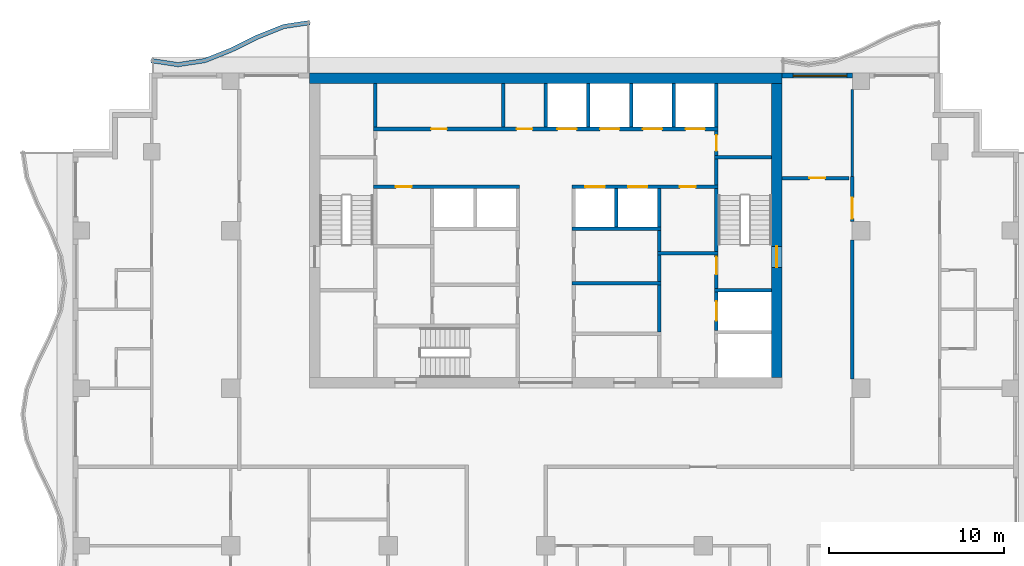
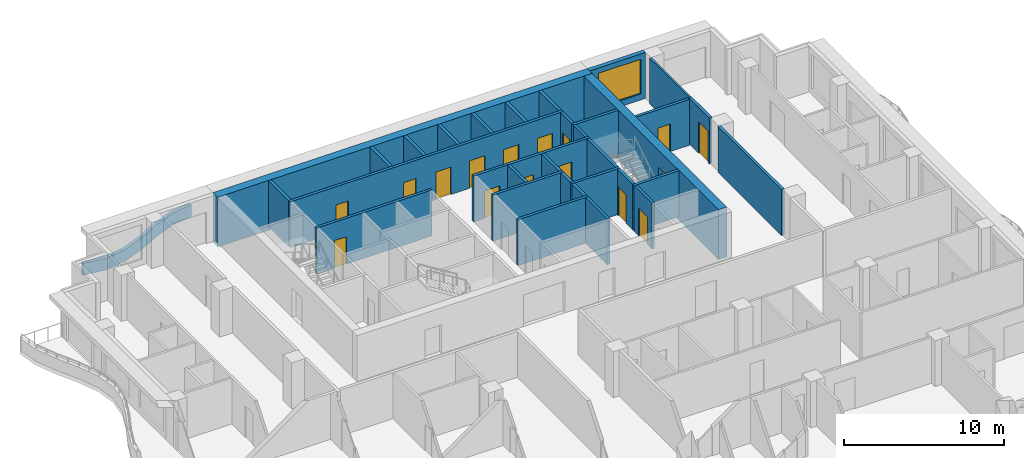
# One storey, part 6 of 11: 33 walls, 16 doors, 1 window, 17 openings.
"""IFC4 building model written with IfcOpenShell, lengths in metres."""

from ifc_helpers import new_model, si_unit, direction, frame, frame_2d, origin, place, context, subcontext, project, spatial, polyline, rectangle, outline, extrude, material, layer, layer_set, type_object, element, fill, save


model = new_model("IFC4")

# Units and contexts
model_context = context("Model", 3, precision=1e-05, world=origin(), true_north=direction((0.0, 1.0)))
body_context = subcontext(model_context, "Body", "Model", "MODEL_VIEW")
ifc_project = project(units=[si_unit("LENGTHUNIT", "METRE"), si_unit("AREAUNIT", "SQUARE_METRE"), si_unit("VOLUMEUNIT", "CUBIC_METRE"), si_unit("PLANEANGLEUNIT", "RADIAN"), si_unit("MASSUNIT", "GRAM", prefix="KILO")], contexts=[model_context])

# Site, building, storey
site_placement = place(None, origin())
site = spatial("IfcSite", under=ifc_project, at=site_placement, CompositionType="ELEMENT")
building_placement = place(site_placement, origin())
building = spatial("IfcBuilding", under=site, at=building_placement, Name="Orbiselva Terraces", CompositionType="ELEMENT")
storey_placement = place(building_placement, frame((0.0, 0.0, 218.6)))
storey = spatial("IfcBuildingStorey", under=building, at=storey_placement, Name="L55", CompositionType="ELEMENT", Elevation=218.6)

# Wall, opening, door
ifc_material_1 = material(Name="Concrete C80/95", Category="concrete")
ifc_layer_1 = layer(ifc_material_1, 0.6)
ifc_layer_set_1 = layer_set([ifc_layer_1], Name="Concrete C80/95")
wall_type_1 = type_object("IfcWallType", Name="CORE WALL 600", PredefinedType="SHEAR", material=ifc_layer_set_1)
wall_1_placement = place(storey_placement, frame((13.2, 5.1, -0.3), z_axis=(0.0, 0.0, 1.0), x_axis=(0.0, 1.0, 0.0)))
wall_1 = element("IfcWall", 1, at=wall_1_placement, inside=storey, type_object=wall_type_1, Name="Core wall L55 east", PredefinedType="SHEAR", context=body_context, shape_type="SweptSolid", body=[
    extrude(rectangle(XDim=16.8, YDim=0.6, at=frame_2d((8.4, 0.0))), origin(), (0.0, 0.0, 1.0), 3.8),
])
opening_1_placement = place(wall_1_placement, frame((6.3, 0.0, 0.3)))
opening_1 = element("IfcOpeningElement", 2, at=opening_1_placement, cuts=wall_1, Name="Opening DS1200", PredefinedType="OPENING", context=body_context, shape_type="SweptSolid", body=[
    extrude(rectangle(XDim=1.2, YDim=2.2, at=frame_2d((0.6, 1.1))), frame((0.0, 0.31, 0.0), z_axis=(0.0, -1.0, 0.0), x_axis=(1.0, 0.0, 0.0)), (0.0, 0.0, 1.0), 0.62),
])
ifc_material_2 = material(Name="Steel fire door", Category="steel")
door_type_1 = type_object("IfcDoorType", Name="STAIR DOOR 1200", OperationType="NOTDEFINED", PredefinedType="DOOR", material=ifc_material_2)
door_1_placement = place(opening_1_placement, frame((1.2, 0.0, 0.0), z_axis=(0.0, 0.0, 1.0), x_axis=(-1.0, 0.0, 0.0)))
door_1 = element("IfcDoor", 3, at=door_1_placement, inside=storey, type_object=door_type_1, Name="L55 EXIT STAIR S2 door", OperationType="SINGLE_SWING_LEFT", OverallHeight=2.2, OverallWidth=1.2, PredefinedType="DOOR", context=body_context, shape_type="SweptSolid", body=[
    extrude(rectangle(XDim=1.2, YDim=2.2, at=frame_2d((0.6, 1.1))), frame((0.0, 0.025, 0.0), z_axis=(0.0, -1.0, 0.0), x_axis=(1.0, 0.0, 0.0)), (0.0, 0.0, 1.0), 0.05),
])
fill(opening_1, door_1)

# Walls
ifc_layer_2 = layer(ifc_material_1, 0.6)
ifc_layer_set_2 = layer_set([ifc_layer_2], Name="Concrete C80/95")
wall_type_2 = type_object("IfcWallType", Name="CORE WALL 600 EXTERNAL", PredefinedType="SHEAR", material=ifc_layer_set_2)
wall_2_placement = place(storey_placement, frame((13.5, 22.2, -0.3), z_axis=(0.0, 0.0, 1.0), x_axis=(-1.0, 0.0, 0.0)))
element("IfcWall", 4, at=wall_2_placement, inside=storey, type_object=wall_type_2, Name="Core wall L55 north", PredefinedType="SHEAR", context=body_context, shape_type="SweptSolid", body=[
    extrude(rectangle(XDim=27.0, YDim=0.6, at=frame_2d((13.5, 0.0))), origin(), (0.0, 0.0, 1.0), 3.8),
])
ifc_material_3 = material(Name="Masonry blockwork", Category="masonry")
ifc_layer_3 = layer(ifc_material_3, 0.2)
ifc_layer_set_3 = layer_set([ifc_layer_3], Name="Masonry blockwork")
wall_type_3 = type_object("IfcWallType", Name="CORE-WALL-PARTITION-200", PredefinedType="PARTITIONING", material=ifc_layer_set_3)
for number, where, z_axis, x_axis, name in (
    (5, (-9.75, 19.4, 0.0), (0.0, 0.0, 1.0), (0.0, 1.0, 0.0), "L55 core wall 13"),
    (6, (-2.4375, 19.4, 0.0), (0.0, 0.0, 1.0), (0.0, 1.0, 0.0), "L55 core wall 21"),
):
    element("IfcWall", number, at=place(storey_placement, frame(where, z_axis=z_axis, x_axis=x_axis)), inside=storey, type_object=wall_type_3, Name=name, PredefinedType="PARTITIONING", context=body_context, shape_type="SweptSolid", body=[
        extrude(rectangle(XDim=2.5, YDim=0.2, at=frame_2d((1.25, 0.0))), origin(), (0.0, 0.0, 1.0), 3.5),
    ])
wall_3_placement = place(storey_placement, frame((6.475, 12.3, 0.0), z_axis=(0.0, 0.0, 1.0), x_axis=(0.0, 1.0, 0.0)))
element("IfcWall", 7, at=wall_3_placement, inside=storey, type_object=wall_type_3, Name="L55 core wall 42", PredefinedType="PARTITIONING", context=body_context, shape_type="SweptSolid", body=[
    extrude(rectangle(XDim=1.2, YDim=0.2, at=frame_2d((0.6, 0.0))), origin(), (0.0, 0.0, 1.0), 3.5),
])

# Wall, opening, door
wall_4_placement = place(storey_placement, frame((9.75, 19.2, 0.0), z_axis=(0.0, 0.0, 1.0), x_axis=(0.0, -1.0, 0.0)))
wall_4 = element("IfcWall", 8, at=wall_4_placement, inside=storey, type_object=wall_type_3, Name="L55 core wall 53", PredefinedType="PARTITIONING", context=body_context, shape_type="SweptSolid", body=[
    extrude(rectangle(XDim=1.4, YDim=0.2, at=frame_2d((0.7, 0.0))), origin(), (0.0, 0.0, 1.0), 3.5),
])
opening_2_placement = place(wall_4_placement, frame((0.25, 0.0, 0.0)))
opening_2 = element("IfcOpeningElement", 9, at=opening_2_placement, cuts=wall_4, Name="Opening DR900", PredefinedType="OPENING", context=body_context, shape_type="SweptSolid", body=[
    extrude(rectangle(XDim=0.9, YDim=2.1, at=frame_2d((0.45, 1.05))), frame((0.0, 0.11, 0.0), z_axis=(0.0, -1.0, 0.0), x_axis=(1.0, 0.0, 0.0)), (0.0, 0.0, 1.0), 0.22),
])
door_type_2 = type_object("IfcDoorType", Name="ROOM DOOR 900", OperationType="NOTDEFINED", PredefinedType="DOOR", material=ifc_material_2)
door_2_placement = place(opening_2_placement, origin())
door_2 = element("IfcDoor", 10, at=door_2_placement, inside=storey, type_object=door_type_2, Name="L55 ELECTRICAL RISER ROOM door", OperationType="SINGLE_SWING_RIGHT", OverallHeight=2.1, OverallWidth=0.9, PredefinedType="DOOR", context=body_context, shape_type="SweptSolid", body=[
    extrude(rectangle(XDim=0.9, YDim=2.1, at=frame_2d((0.45, 1.05))), frame((0.0, 0.025, 0.0), z_axis=(0.0, -1.0, 0.0), x_axis=(1.0, 0.0, 0.0)), (0.0, 0.0, 1.0), 0.05),
])
fill(opening_2, door_2)

# Walls
ifc_material_4 = material(Name="Concrete C40/50", Category="concrete")
ifc_layer_4 = layer(ifc_material_4, 0.2)
ifc_layer_set_4 = layer_set([ifc_layer_4], Name="Concrete C40/50")
wall_type_4 = type_object("IfcWallType", Name="CORE-WALL-SHAFT-200", PredefinedType="PARTITIONING", material=ifc_layer_set_4)
for number, where, z_axis, x_axis, name in (
    (11, (0.0, 19.4, 0.0), (0.0, 0.0, 1.0), (0.0, 1.0, 0.0), "L55 core wall 26"),
    (12, (2.4375, 19.4, 0.0), (0.0, 0.0, 1.0), (0.0, 1.0, 0.0), "L55 core wall 35"),
):
    element("IfcWall", number, at=place(storey_placement, frame(where, z_axis=z_axis, x_axis=x_axis)), inside=storey, type_object=wall_type_4, Name=name, PredefinedType="PARTITIONING", context=body_context, shape_type="SweptSolid", body=[
        extrude(rectangle(XDim=2.5, YDim=0.2, at=frame_2d((1.25, 0.0))), origin(), (0.0, 0.0, 1.0), 3.5),
    ])
wall_5_placement = place(storey_placement, frame((4.0375, 13.7, 0.0), z_axis=(0.0, 0.0, 1.0), x_axis=(0.0, 1.0, 0.0)))
element("IfcWall", 13, at=wall_5_placement, inside=storey, type_object=wall_type_4, Name="L55 core wall 36", PredefinedType="PARTITIONING", context=body_context, shape_type="SweptSolid", body=[
    extrude(rectangle(XDim=2.2, YDim=0.2, at=frame_2d((1.1, 0.0))), origin(), (0.0, 0.0, 1.0), 3.5),
])
wall_6_placement = place(storey_placement, frame((4.875, 19.4, 0.0), z_axis=(0.0, 0.0, 1.0), x_axis=(0.0, 1.0, 0.0)))
element("IfcWall", 14, at=wall_6_placement, inside=storey, type_object=wall_type_4, Name="L55 core wall 37", PredefinedType="PARTITIONING", context=body_context, shape_type="SweptSolid", body=[
    extrude(rectangle(XDim=2.5, YDim=0.2, at=frame_2d((1.25, 0.0))), origin(), (0.0, 0.0, 1.0), 3.5),
])
wall_7_placement = place(storey_placement, frame((6.475, 13.7, 0.0), z_axis=(0.0, 0.0, 1.0), x_axis=(0.0, 1.0, 0.0)))
element("IfcWall", 15, at=wall_7_placement, inside=storey, type_object=wall_type_4, Name="L55 core wall 43", PredefinedType="PARTITIONING", context=body_context, shape_type="SweptSolid", body=[
    extrude(rectangle(XDim=2.2, YDim=0.2, at=frame_2d((1.1, 0.0))), origin(), (0.0, 0.0, 1.0), 3.5),
])
for number, where, z_axis, x_axis, name in (
    (16, (7.3125, 19.4, 0.0), (0.0, 0.0, 1.0), (0.0, 1.0, 0.0), "L55 core wall 44"),
    (17, (9.75, 19.4, 0.0), (0.0, 0.0, 1.0), (0.0, 1.0, 0.0), "L55 core wall 54"),
):
    element("IfcWall", number, at=place(storey_placement, frame(where, z_axis=z_axis, x_axis=x_axis)), inside=storey, type_object=wall_type_4, Name=name, PredefinedType="PARTITIONING", context=body_context, shape_type="SweptSolid", body=[
        extrude(rectangle(XDim=2.5, YDim=0.2, at=frame_2d((1.25, 0.0))), origin(), (0.0, 0.0, 1.0), 3.5),
    ])

# Wall, opening, door
ifc_material_5 = material(Name="Concrete C60/75", Category="concrete")
ifc_layer_5 = layer(ifc_material_5, 0.2)
ifc_layer_set_5 = layer_set([ifc_layer_5], Name="Concrete C60/75")
wall_type_5 = type_object("IfcWallType", Name="CORE-WALL-SHEAR-200", PredefinedType="SHEAR", material=ifc_layer_set_5)
wall_8_placement = place(storey_placement, frame((-1.5, 16.0, 0.0), z_axis=(0.0, 0.0, 1.0), x_axis=(-1.0, 0.0, 0.0)))
wall_8 = element("IfcWall", 18, at=wall_8_placement, inside=storey, type_object=wall_type_5, Name="L55 core wall 09", PredefinedType="SHEAR", context=body_context, shape_type="SweptSolid", body=[
    extrude(rectangle(XDim=8.35, YDim=0.2, at=frame_2d((4.175, 0.0))), origin(), (0.0, 0.0, 1.0), 3.5),
])
opening_3_placement = place(wall_8_placement, frame((6.1625, 0.0, 0.0)))
opening_3 = element("IfcOpeningElement", 19, at=opening_3_placement, cuts=wall_8, Name="Opening DR900", PredefinedType="OPENING", context=body_context, shape_type="SweptSolid", body=[
    extrude(rectangle(XDim=0.9, YDim=2.1, at=frame_2d((0.45, 1.05))), frame((0.0, 0.11, 0.0), z_axis=(0.0, -1.0, 0.0), x_axis=(1.0, 0.0, 0.0)), (0.0, 0.0, 1.0), 0.22),
])
door_3_placement = place(opening_3_placement, origin())
door_3 = element("IfcDoor", 20, at=door_3_placement, inside=storey, type_object=door_type_2, Name="L55 IT ROOM door", OperationType="SINGLE_SWING_RIGHT", OverallHeight=2.1, OverallWidth=0.9, PredefinedType="DOOR", context=body_context, shape_type="SweptSolid", body=[
    extrude(rectangle(XDim=0.9, YDim=2.1, at=frame_2d((0.45, 1.05))), frame((0.0, 0.025, 0.0), z_axis=(0.0, -1.0, 0.0), x_axis=(1.0, 0.0, 0.0)), (0.0, 0.0, 1.0), 0.05),
])
fill(opening_3, door_3)

# Wall, openings, doors
wall_9_placement = place(storey_placement, frame((-9.85, 19.3, 0.0), z_axis=(0.0, 0.0, 1.0), x_axis=(1.0, 0.0, 0.0)))
wall_9 = element("IfcWall", 21, at=wall_9_placement, inside=storey, type_object=wall_type_5, Name="L55 core wall 12", PredefinedType="SHEAR", context=body_context, shape_type="SweptSolid", body=[
    extrude(rectangle(XDim=19.7, YDim=0.2, at=frame_2d((9.85, 0.0))), origin(), (0.0, 0.0, 1.0), 3.5),
])
opening_4_placement = place(wall_9_placement, frame((10.51875, 0.0, 0.0)))
opening_4 = element("IfcOpeningElement", 22, at=opening_4_placement, cuts=wall_9, Name="Opening LD-HR1", PredefinedType="OPENING", context=body_context, shape_type="SweptSolid", body=[
    extrude(rectangle(XDim=1.1, YDim=2.1, at=frame_2d((0.55, 1.05))), frame((0.0, 0.11, 0.0), z_axis=(0.0, -1.0, 0.0), x_axis=(1.0, 0.0, 0.0)), (0.0, 0.0, 1.0), 0.22),
])
opening_5_placement = place(wall_9_placement, frame((12.95625, 0.0, 0.0)))
opening_5 = element("IfcOpeningElement", 23, at=opening_5_placement, cuts=wall_9, Name="Opening LD-HR2", PredefinedType="OPENING", context=body_context, shape_type="SweptSolid", body=[
    extrude(rectangle(XDim=1.1, YDim=2.1, at=frame_2d((0.55, 1.05))), frame((0.0, 0.11, 0.0), z_axis=(0.0, -1.0, 0.0), x_axis=(1.0, 0.0, 0.0)), (0.0, 0.0, 1.0), 0.22),
])
opening_6_placement = place(wall_9_placement, frame((15.39375, 0.0, 0.0)))
opening_6 = element("IfcOpeningElement", 24, at=opening_6_placement, cuts=wall_9, Name="Opening LD-HR3", PredefinedType="OPENING", context=body_context, shape_type="SweptSolid", body=[
    extrude(rectangle(XDim=1.1, YDim=2.1, at=frame_2d((0.55, 1.05))), frame((0.0, 0.11, 0.0), z_axis=(0.0, -1.0, 0.0), x_axis=(1.0, 0.0, 0.0)), (0.0, 0.0, 1.0), 0.22),
])
opening_7_placement = place(wall_9_placement, frame((17.83125, 0.0, 0.0)))
opening_7 = element("IfcOpeningElement", 25, at=opening_7_placement, cuts=wall_9, Name="Opening LD-HR4", PredefinedType="OPENING", context=body_context, shape_type="SweptSolid", body=[
    extrude(rectangle(XDim=1.1, YDim=2.1, at=frame_2d((0.55, 1.05))), frame((0.0, 0.11, 0.0), z_axis=(0.0, -1.0, 0.0), x_axis=(1.0, 0.0, 0.0)), (0.0, 0.0, 1.0), 0.22),
])
opening_8_placement = place(wall_9_placement, frame((3.3062, 0.0, 0.0)))
opening_8 = element("IfcOpeningElement", 26, at=opening_8_placement, cuts=wall_9, Name="Opening DR900", PredefinedType="OPENING", context=body_context, shape_type="SweptSolid", body=[
    extrude(rectangle(XDim=0.9, YDim=2.1, at=frame_2d((0.45, 1.05))), frame((0.0, 0.11, 0.0), z_axis=(0.0, -1.0, 0.0), x_axis=(1.0, 0.0, 0.0)), (0.0, 0.0, 1.0), 0.22),
])
opening_9_placement = place(wall_9_placement, frame((8.1812, 0.0, 0.0)))
opening_9 = element("IfcOpeningElement", 27, at=opening_9_placement, cuts=wall_9, Name="Opening DR900", PredefinedType="OPENING", context=body_context, shape_type="SweptSolid", body=[
    extrude(rectangle(XDim=0.9, YDim=2.1, at=frame_2d((0.45, 1.05))), frame((0.0, 0.11, 0.0), z_axis=(0.0, -1.0, 0.0), x_axis=(1.0, 0.0, 0.0)), (0.0, 0.0, 1.0), 0.22),
])
ifc_material_6 = material(Name="Stainless steel landing door", Category="steel")
door_type_3 = type_object("IfcDoorType", Name="LANDING DOOR 1100", OperationType="SLIDING_TO_LEFT", PredefinedType="DOOR", material=ifc_material_6)
door_4_placement = place(opening_4_placement, origin())
door_4 = element("IfcDoor", 28, at=door_4_placement, inside=storey, type_object=door_type_3, Name="L55 landing door HR1", OperationType="SLIDING_TO_RIGHT", OverallHeight=2.1, OverallWidth=1.1, PredefinedType="DOOR", context=body_context, shape_type="SweptSolid", body=[
    extrude(rectangle(XDim=1.1, YDim=2.1, at=frame_2d((0.55, 1.05))), frame((0.0, 0.025, 0.0), z_axis=(0.0, -1.0, 0.0), x_axis=(1.0, 0.0, 0.0)), (0.0, 0.0, 1.0), 0.05),
])
fill(opening_4, door_4)
door_5_placement = place(opening_5_placement, origin())
door_5 = element("IfcDoor", 29, at=door_5_placement, inside=storey, type_object=door_type_3, Name="L55 landing door HR2", OperationType="SLIDING_TO_RIGHT", OverallHeight=2.1, OverallWidth=1.1, PredefinedType="DOOR", context=body_context, shape_type="SweptSolid", body=[
    extrude(rectangle(XDim=1.1, YDim=2.1, at=frame_2d((0.55, 1.05))), frame((0.0, 0.025, 0.0), z_axis=(0.0, -1.0, 0.0), x_axis=(1.0, 0.0, 0.0)), (0.0, 0.0, 1.0), 0.05),
])
fill(opening_5, door_5)
door_6_placement = place(opening_6_placement, origin())
door_6 = element("IfcDoor", 30, at=door_6_placement, inside=storey, type_object=door_type_3, Name="L55 landing door HR3", OperationType="SLIDING_TO_RIGHT", OverallHeight=2.1, OverallWidth=1.1, PredefinedType="DOOR", context=body_context, shape_type="SweptSolid", body=[
    extrude(rectangle(XDim=1.1, YDim=2.1, at=frame_2d((0.55, 1.05))), frame((0.0, 0.025, 0.0), z_axis=(0.0, -1.0, 0.0), x_axis=(1.0, 0.0, 0.0)), (0.0, 0.0, 1.0), 0.05),
])
fill(opening_6, door_6)
door_7_placement = place(opening_7_placement, origin())
door_7 = element("IfcDoor", 31, at=door_7_placement, inside=storey, type_object=door_type_3, Name="L55 landing door HR4", OperationType="SLIDING_TO_RIGHT", OverallHeight=2.1, OverallWidth=1.1, PredefinedType="DOOR", context=body_context, shape_type="SweptSolid", body=[
    extrude(rectangle(XDim=1.1, YDim=2.1, at=frame_2d((0.55, 1.05))), frame((0.0, 0.025, 0.0), z_axis=(0.0, -1.0, 0.0), x_axis=(1.0, 0.0, 0.0)), (0.0, 0.0, 1.0), 0.05),
])
fill(opening_7, door_7)
door_8_placement = place(opening_8_placement, origin())
door_8 = element("IfcDoor", 32, at=door_8_placement, inside=storey, type_object=door_type_2, Name="L55 SERVICE LOUNGE door", OperationType="SINGLE_SWING_LEFT", OverallHeight=2.1, OverallWidth=0.9, PredefinedType="DOOR", context=body_context, shape_type="SweptSolid", body=[
    extrude(rectangle(XDim=0.9, YDim=2.1, at=frame_2d((0.45, 1.05))), frame((0.0, 0.025, 0.0), z_axis=(0.0, -1.0, 0.0), x_axis=(1.0, 0.0, 0.0)), (0.0, 0.0, 1.0), 0.05),
])
fill(opening_8, door_8)
door_9_placement = place(opening_9_placement, origin())
door_9 = element("IfcDoor", 33, at=door_9_placement, inside=storey, type_object=door_type_2, Name="L55 STAFF WC door", OperationType="SINGLE_SWING_LEFT", OverallHeight=2.1, OverallWidth=0.9, PredefinedType="DOOR", context=body_context, shape_type="SweptSolid", body=[
    extrude(rectangle(XDim=0.9, YDim=2.1, at=frame_2d((0.45, 1.05))), frame((0.0, 0.025, 0.0), z_axis=(0.0, -1.0, 0.0), x_axis=(1.0, 0.0, 0.0)), (0.0, 0.0, 1.0), 0.05),
])
fill(opening_9, door_9)

# Walls
for number, where, z_axis, x_axis, name in (
    (34, (1.5, 10.5, 0.0), (0.0, 0.0, 1.0), (1.0, 0.0, 0.0), "L55 core wall 30"),
    (35, (1.5, 13.6, 0.0), (0.0, 0.0, 1.0), (1.0, 0.0, 0.0), "L55 core wall 32"),
):
    element("IfcWall", number, at=place(storey_placement, frame(where, z_axis=z_axis, x_axis=x_axis)), inside=storey, type_object=wall_type_5, Name=name, PredefinedType="SHEAR", context=body_context, shape_type="SweptSolid", body=[
        extrude(rectangle(XDim=5.075, YDim=0.2, at=frame_2d((2.5375, 0.0))), origin(), (0.0, 0.0, 1.0), 3.5),
    ])

# Wall, openings, doors
wall_10_placement = place(storey_placement, frame((9.85, 16.0, 0.0), z_axis=(0.0, 0.0, 1.0), x_axis=(-1.0, 0.0, 0.0)))
wall_10 = element("IfcWall", 36, at=wall_10_placement, inside=storey, type_object=wall_type_5, Name="L55 core wall 34", PredefinedType="SHEAR", context=body_context, shape_type="SweptSolid", body=[
    extrude(rectangle(XDim=8.35, YDim=0.2, at=frame_2d((4.175, 0.0))), origin(), (0.0, 0.0, 1.0), 3.5),
])
opening_10_placement = place(wall_10_placement, frame((6.48125, 0.0, 0.0)))
opening_10 = element("IfcOpeningElement", 37, at=opening_10_placement, cuts=wall_10, Name="Opening LD-HR5", PredefinedType="OPENING", context=body_context, shape_type="SweptSolid", body=[
    extrude(rectangle(XDim=1.1, YDim=2.1, at=frame_2d((0.55, 1.05))), frame((0.0, 0.11, 0.0), z_axis=(0.0, -1.0, 0.0), x_axis=(1.0, 0.0, 0.0)), (0.0, 0.0, 1.0), 0.22),
])
opening_11_placement = place(wall_10_placement, frame((4.04375, 0.0, 0.0)))
opening_11 = element("IfcOpeningElement", 38, at=opening_11_placement, cuts=wall_10, Name="Opening LD-HR6", PredefinedType="OPENING", context=body_context, shape_type="SweptSolid", body=[
    extrude(rectangle(XDim=1.1, YDim=2.1, at=frame_2d((0.55, 1.05))), frame((0.0, 0.11, 0.0), z_axis=(0.0, -1.0, 0.0), x_axis=(1.0, 0.0, 0.0)), (0.0, 0.0, 1.0), 0.22),
])
opening_12_placement = place(wall_10_placement, frame((1.2875, 0.0, 0.0)))
opening_12 = element("IfcOpeningElement", 39, at=opening_12_placement, cuts=wall_10, Name="Opening DR900", PredefinedType="OPENING", context=body_context, shape_type="SweptSolid", body=[
    extrude(rectangle(XDim=0.9, YDim=2.1, at=frame_2d((0.45, 1.05))), frame((0.0, 0.11, 0.0), z_axis=(0.0, -1.0, 0.0), x_axis=(1.0, 0.0, 0.0)), (0.0, 0.0, 1.0), 0.22),
])
door_10_placement = place(opening_10_placement, origin())
door_10 = element("IfcDoor", 40, at=door_10_placement, inside=storey, type_object=door_type_3, Name="L55 landing door HR5", OperationType="SLIDING_TO_RIGHT", OverallHeight=2.1, OverallWidth=1.1, PredefinedType="DOOR", context=body_context, shape_type="SweptSolid", body=[
    extrude(rectangle(XDim=1.1, YDim=2.1, at=frame_2d((0.55, 1.05))), frame((0.0, 0.025, 0.0), z_axis=(0.0, -1.0, 0.0), x_axis=(1.0, 0.0, 0.0)), (0.0, 0.0, 1.0), 0.05),
])
fill(opening_10, door_10)
door_11_placement = place(opening_11_placement, origin())
door_11 = element("IfcDoor", 41, at=door_11_placement, inside=storey, type_object=door_type_3, Name="L55 landing door HR6", OperationType="SLIDING_TO_RIGHT", OverallHeight=2.1, OverallWidth=1.1, PredefinedType="DOOR", context=body_context, shape_type="SweptSolid", body=[
    extrude(rectangle(XDim=1.1, YDim=2.1, at=frame_2d((0.55, 1.05))), frame((0.0, 0.025, 0.0), z_axis=(0.0, -1.0, 0.0), x_axis=(1.0, 0.0, 0.0)), (0.0, 0.0, 1.0), 0.05),
])
fill(opening_11, door_11)
door_12_placement = place(opening_12_placement, origin())
door_12 = element("IfcDoor", 42, at=door_12_placement, inside=storey, type_object=door_type_2, Name="L55 PIPE RISER ROOM door", OperationType="SINGLE_SWING_LEFT", OverallHeight=2.1, OverallWidth=0.9, PredefinedType="DOOR", context=body_context, shape_type="SweptSolid", body=[
    extrude(rectangle(XDim=0.9, YDim=2.1, at=frame_2d((0.45, 1.05))), frame((0.0, 0.025, 0.0), z_axis=(0.0, -1.0, 0.0), x_axis=(1.0, 0.0, 0.0)), (0.0, 0.0, 1.0), 0.05),
])
fill(opening_12, door_12)

# Walls
wall_11_placement = place(storey_placement, frame((6.475, 7.7, 0.0), z_axis=(0.0, 0.0, 1.0), x_axis=(0.0, 1.0, 0.0)))
element("IfcWall", 43, at=wall_11_placement, inside=storey, type_object=wall_type_5, Name="L55 core wall 39", PredefinedType="SHEAR", context=body_context, shape_type="SweptSolid", body=[
    extrude(rectangle(XDim=2.7, YDim=0.2, at=frame_2d((1.35, 0.0))), origin(), (0.0, 0.0, 1.0), 3.5),
])
wall_12_placement = place(storey_placement, frame((6.475, 10.6, 0.0), z_axis=(0.0, 0.0, 1.0), x_axis=(0.0, 1.0, 0.0)))
element("IfcWall", 44, at=wall_12_placement, inside=storey, type_object=wall_type_5, Name="L55 core wall 40", PredefinedType="SHEAR", context=body_context, shape_type="SweptSolid", body=[
    extrude(rectangle(XDim=1.5, YDim=0.2, at=frame_2d((0.75, 0.0))), origin(), (0.0, 0.0, 1.0), 3.5),
])
wall_13_placement = place(storey_placement, frame((6.375, 12.2, 0.0), z_axis=(0.0, 0.0, 1.0), x_axis=(1.0, 0.0, 0.0)))
element("IfcWall", 45, at=wall_13_placement, inside=storey, type_object=wall_type_5, Name="L55 core wall 41", PredefinedType="SHEAR", context=body_context, shape_type="SweptSolid", body=[
    extrude(rectangle(XDim=3.475, YDim=0.2, at=frame_2d((1.7375, 0.0))), origin(), (0.0, 0.0, 1.0), 3.5),
])

# Wall, opening, door
wall_14_placement = place(storey_placement, frame((9.75, 7.8, 0.0), z_axis=(0.0, 0.0, 1.0), x_axis=(0.0, 1.0, 0.0)))
wall_14 = element("IfcWall", 46, at=wall_14_placement, inside=storey, type_object=wall_type_5, Name="L55 core wall 47", PredefinedType="SHEAR", context=body_context, shape_type="SweptSolid", body=[
    extrude(rectangle(XDim=2.2, YDim=0.2, at=frame_2d((1.1, 0.0))), origin(), (0.0, 0.0, 1.0), 3.5),
])
opening_13_placement = place(wall_14_placement, frame((0.55, 0.0, 0.0)))
opening_13 = element("IfcOpeningElement", 47, at=opening_13_placement, cuts=wall_14, Name="Opening LD-FF2", PredefinedType="OPENING", context=body_context, shape_type="SweptSolid", body=[
    extrude(rectangle(XDim=1.1, YDim=2.1, at=frame_2d((0.55, 1.05))), frame((0.0, 0.11, 0.0), z_axis=(0.0, -1.0, 0.0), x_axis=(1.0, 0.0, 0.0)), (0.0, 0.0, 1.0), 0.22),
])
door_13_placement = place(opening_13_placement, origin())
door_13 = element("IfcDoor", 48, at=door_13_placement, inside=storey, type_object=door_type_3, Name="L55 landing door FF2", OperationType="SLIDING_TO_RIGHT", OverallHeight=2.1, OverallWidth=1.1, PredefinedType="DOOR", context=body_context, shape_type="SweptSolid", body=[
    extrude(rectangle(XDim=1.1, YDim=2.1, at=frame_2d((0.55, 1.05))), frame((0.0, 0.025, 0.0), z_axis=(0.0, -1.0, 0.0), x_axis=(1.0, 0.0, 0.0)), (0.0, 0.0, 1.0), 0.05),
])
fill(opening_13, door_13)

# Wall
wall_15_placement = place(storey_placement, frame((9.65, 10.1, 0.0), z_axis=(0.0, 0.0, 1.0), x_axis=(1.0, 0.0, 0.0)))
element("IfcWall", 49, at=wall_15_placement, inside=storey, type_object=wall_type_5, Name="L55 core wall 48", PredefinedType="SHEAR", context=body_context, shape_type="SweptSolid", body=[
    extrude(rectangle(XDim=3.25, YDim=0.2, at=frame_2d((1.625, 0.0))), origin(), (0.0, 0.0, 1.0), 3.5),
])

# Wall, opening, door
wall_16_placement = place(storey_placement, frame((9.75, 12.1, 0.0), z_axis=(0.0, 0.0, 1.0), x_axis=(0.0, -1.0, 0.0)))
wall_16 = element("IfcWall", 50, at=wall_16_placement, inside=storey, type_object=wall_type_5, Name="L55 core wall 49", PredefinedType="SHEAR", context=body_context, shape_type="SweptSolid", body=[
    extrude(rectangle(XDim=1.9, YDim=0.2, at=frame_2d((0.95, 0.0))), origin(), (0.0, 0.0, 1.0), 3.5),
])
opening_14_placement = place(wall_16_placement, frame((0.1, 0.0, 0.0)))
opening_14 = element("IfcOpeningElement", 51, at=opening_14_placement, cuts=wall_16, Name="Opening DS1000", PredefinedType="OPENING", context=body_context, shape_type="SweptSolid", body=[
    extrude(rectangle(XDim=1.0, YDim=2.2, at=frame_2d((0.5, 1.1))), frame((0.0, 0.11, 0.0), z_axis=(0.0, -1.0, 0.0), x_axis=(1.0, 0.0, 0.0)), (0.0, 0.0, 1.0), 0.22),
])
door_type_4 = type_object("IfcDoorType", Name="STAIR DOOR 1000", OperationType="NOTDEFINED", PredefinedType="DOOR", material=ifc_material_2)
door_14_placement = place(opening_14_placement, origin())
door_14 = element("IfcDoor", 52, at=door_14_placement, inside=storey, type_object=door_type_4, Name="L55 FIRE-FIGHTING LOBBY TO EXIT STAIR S2 door", OperationType="SINGLE_SWING_LEFT", OverallHeight=2.2, OverallWidth=1.0, PredefinedType="DOOR", context=body_context, shape_type="SweptSolid", body=[
    extrude(rectangle(XDim=1.0, YDim=2.2, at=frame_2d((0.5, 1.1))), frame((0.0, 0.025, 0.0), z_axis=(0.0, -1.0, 0.0), x_axis=(1.0, 0.0, 0.0)), (0.0, 0.0, 1.0), 0.05),
])
fill(opening_14, door_14)

# Walls
wall_17_placement = place(storey_placement, frame((9.75, 12.3, 0.0), z_axis=(0.0, 0.0, 1.0), x_axis=(0.0, 1.0, 0.0)))
element("IfcWall", 53, at=wall_17_placement, inside=storey, type_object=wall_type_5, Name="L55 core wall 50", PredefinedType="SHEAR", context=body_context, shape_type="SweptSolid", body=[
    extrude(rectangle(XDim=3.6, YDim=0.2, at=frame_2d((1.8, 0.0))), origin(), (0.0, 0.0, 1.0), 3.5),
])
wall_18_placement = place(storey_placement, frame((9.75, 16.1, 0.0), z_axis=(0.0, 0.0, 1.0), x_axis=(0.0, 1.0, 0.0)))
element("IfcWall", 54, at=wall_18_placement, inside=storey, type_object=wall_type_5, Name="L55 core wall 51", PredefinedType="SHEAR", context=body_context, shape_type="SweptSolid", body=[
    extrude(rectangle(XDim=1.5, YDim=0.2, at=frame_2d((0.75, 0.0))), origin(), (0.0, 0.0, 1.0), 3.5),
])
wall_19_placement = place(storey_placement, frame((9.65, 17.7, 0.0), z_axis=(0.0, 0.0, 1.0), x_axis=(1.0, 0.0, 0.0)))
element("IfcWall", 55, at=wall_19_placement, inside=storey, type_object=wall_type_5, Name="L55 core wall 52", PredefinedType="SHEAR", context=body_context, shape_type="SweptSolid", body=[
    extrude(rectangle(XDim=3.25, YDim=0.2, at=frame_2d((1.625, 0.0))), origin(), (0.0, 0.0, 1.0), 3.5),
])
ifc_layer_6 = layer(ifc_material_4, 0.25)
ifc_layer_set_6 = layer_set([ifc_layer_6], Name="Concrete C40/50")
wall_type_6 = type_object("IfcWallType", Name="ENV-PLANTER-250x900", PredefinedType="USERDEFINED", material=ifc_layer_set_6)
wall_20_placement = place(storey_placement, origin())
element("IfcWall", 56, at=wall_20_placement, inside=storey, type_object=wall_type_6, Name="Balcony planter L55 NW", ObjectType="PLANTER", PredefinedType="USERDEFINED", context=body_context, shape_type="SweptSolid", body=[
    extrude(outline(polyline([(-13.5, 25.5), (-15.0, 25.27082), (-16.5, 24.67082), (-18.0, 23.92918), (-19.5, 23.32918), (-21.0, 23.1), (-22.5, 23.32918), (-22.537758, 23.082048), (-21.0, 22.847099), (-19.433834, 23.086388), (-17.898017, 23.700715), (-16.398017, 24.442355), (-14.933834, 25.028028), (-13.462242, 25.252868), (-13.5, 25.5)])), origin(), (0.0, 0.0, 1.0), 0.9),
])

# Wall, opening, window
ifc_material_7 = material(Name="Terracotta cladding on masonry backing", Category="masonry")
ifc_layer_7 = layer(ifc_material_7, 0.3)
ifc_layer_set_7 = layer_set([ifc_layer_7], Name="Terracotta cladding on masonry backing")
wall_type_7 = type_object("IfcWallType", Name="ENV-WALL-TERRACOTTA-300", PredefinedType="SOLIDWALL", material=ifc_layer_set_7)
wall_21_placement = place(storey_placement, frame((13.5, 22.35, 0.0), z_axis=(0.0, 0.0, 1.0), x_axis=(1.0, 0.0, 0.0)))
wall_21 = element("IfcWall", 57, at=wall_21_placement, inside=storey, type_object=wall_type_7, Name="Facade wall L55 NE", PredefinedType="SOLIDWALL", context=body_context, shape_type="SweptSolid", body=[
    extrude(rectangle(XDim=4.025, YDim=0.3, at=frame_2d((2.0125, 0.0))), origin(), (0.0, 0.0, 1.0), 3.5),
])
opening_15_placement = place(wall_21_placement, frame((0.625, 0.0, 0.45)))
opening_15 = element("IfcOpeningElement", 58, at=opening_15_placement, cuts=wall_21, Name="Opening WN15", PredefinedType="OPENING", context=body_context, shape_type="SweptSolid", body=[
    extrude(rectangle(XDim=3.075, YDim=2.65, at=frame_2d((1.5375, 1.325))), frame((0.0, 0.16, 0.0), z_axis=(0.0, -1.0, 0.0), x_axis=(1.0, 0.0, 0.0)), (0.0, 0.0, 1.0), 0.32),
])
ifc_material_8 = material(Name="Clear low-e glazing in aluminium frame", Category="aluminium")
window_type = type_object("IfcWindowType", Name="WINDOW 3075 X 2650 S450", PartitioningType="TRIPLE_PANEL_VERTICAL", PredefinedType="WINDOW", material=ifc_material_8)
window_placement = place(opening_15_placement, origin())
window = element("IfcWindow", 59, at=window_placement, inside=storey, type_object=window_type, Name="Window L55 NE", OverallHeight=2.65, OverallWidth=3.075, PartitioningType="SINGLE_PANEL", PredefinedType="WINDOW", context=body_context, shape_type="SweptSolid", body=[
    extrude(rectangle(XDim=3.075, YDim=2.65, at=frame_2d((1.5375, 1.325))), frame((0.0, 0.03, 0.0), z_axis=(0.0, -1.0, 0.0), x_axis=(1.0, 0.0, 0.0)), (0.0, 0.0, 1.0), 0.06),
])
fill(opening_15, window)

# Wall, opening, door
ifc_material_9 = material(Name="Plasterboard on steel stud partition", Category="steel")
ifc_layer_8 = layer(ifc_material_9, 0.2)
ifc_layer_set_8 = layer_set([ifc_layer_8], Name="Plasterboard on steel stud partition")
wall_type_8 = type_object("IfcWallType", Name="UNIT-ENTRANCE-WALL-200", PredefinedType="PARTITIONING", material=ifc_layer_set_8)
wall_22_placement = place(storey_placement, frame((13.5, 16.5, 0.0), z_axis=(0.0, 0.0, 1.0), x_axis=(1.0, 0.0, 0.0)))
wall_22 = element("IfcWall", 60, at=wall_22_placement, inside=storey, type_object=wall_type_8, Name="PARTITION L55-040", PredefinedType="PARTITIONING", context=body_context, shape_type="SweptSolid", body=[
    extrude(rectangle(XDim=3.825, YDim=0.2, at=frame_2d((1.9125, 0.0))), origin(), (0.0, 0.0, 1.0), 3.5),
])
opening_16_placement = place(wall_22_placement, frame((1.55, 0.0, 0.0)))
opening_16 = element("IfcOpeningElement", 61, at=opening_16_placement, cuts=wall_22, Name="Opening Z4-D-01", PredefinedType="OPENING", context=body_context, shape_type="SweptSolid", body=[
    extrude(rectangle(XDim=0.9, YDim=2.1, at=frame_2d((0.45, 1.05))), frame((0.0, 0.11, 0.0), z_axis=(0.0, -1.0, 0.0), x_axis=(1.0, 0.0, 0.0)), (0.0, 0.0, 1.0), 0.22),
])
ifc_material_10 = material(Name="Painted timber door leaf", Category="wood")
door_type_5 = type_object("IfcDoorType", Name="SERVICE DOOR 900", OperationType="NOTDEFINED", PredefinedType="DOOR", material=ifc_material_10)
door_15_placement = place(opening_16_placement, origin())
door_15 = element("IfcDoor", 62, at=door_15_placement, inside=storey, type_object=door_type_5, Name="Z4-D-01", OperationType="SINGLE_SWING_RIGHT", OverallHeight=2.1, OverallWidth=0.9, PredefinedType="DOOR", context=body_context, shape_type="SweptSolid", body=[
    extrude(rectangle(XDim=0.9, YDim=2.1, at=frame_2d((0.45, 1.05))), frame((0.0, 0.025, 0.0), z_axis=(0.0, -1.0, 0.0), x_axis=(1.0, 0.0, 0.0)), (0.0, 0.0, 1.0), 0.05),
])
fill(opening_16, door_15)

# Wall
wall_23_placement = place(storey_placement, frame((17.5, 5.025, 0.0), z_axis=(0.0, 0.0, 1.0), x_axis=(0.0, 1.0, 0.0)))
element("IfcWall", 63, at=wall_23_placement, inside=storey, type_object=wall_type_8, Name="PARTITION L55-073", PredefinedType="PARTITIONING", context=body_context, shape_type="SweptSolid", body=[
    extrude(rectangle(XDim=7.95, YDim=0.2, at=frame_2d((3.975, 0.0))), origin(), (0.0, 0.0, 1.0), 3.5),
])

# Wall, opening, door
wall_24_placement = place(storey_placement, frame((17.5, 16.6, 0.0), z_axis=(0.0, 0.0, 1.0), x_axis=(0.0, -1.0, 0.0)))
wall_24 = element("IfcWall", 64, at=wall_24_placement, inside=storey, type_object=wall_type_8, Name="PARTITION L55-074", PredefinedType="PARTITIONING", context=body_context, shape_type="SweptSolid", body=[
    extrude(rectangle(XDim=2.575, YDim=0.2, at=frame_2d((1.2875, 0.0))), origin(), (0.0, 0.0, 1.0), 3.5),
])
opening_17_placement = place(wall_24_placement, frame((1.225, 0.0, 0.0)))
opening_17 = element("IfcOpeningElement", 65, at=opening_17_placement, cuts=wall_24, Name="Opening Z4-D-08", PredefinedType="OPENING", context=body_context, shape_type="SweptSolid", body=[
    extrude(rectangle(XDim=1.2, YDim=2.4, at=frame_2d((0.6, 1.2))), frame((0.0, 0.11, 0.0), z_axis=(0.0, -1.0, 0.0), x_axis=(1.0, 0.0, 0.0)), (0.0, 0.0, 1.0), 0.22),
])
door_type_6 = type_object("IfcDoorType", Name="ENTRANCE DOOR 1200", OperationType="NOTDEFINED", PredefinedType="DOOR", material=ifc_material_10)
door_16_placement = place(opening_17_placement, origin())
door_16 = element("IfcDoor", 66, at=door_16_placement, inside=storey, type_object=door_type_6, Name="Z4-D-08", OperationType="SINGLE_SWING_RIGHT", OverallHeight=2.4, OverallWidth=1.2, PredefinedType="DOOR", context=body_context, shape_type="SweptSolid", body=[
    extrude(rectangle(XDim=1.2, YDim=2.4, at=frame_2d((0.6, 1.2))), frame((0.0, 0.025, 0.0), z_axis=(0.0, -1.0, 0.0), x_axis=(1.0, 0.0, 0.0)), (0.0, 0.0, 1.0), 0.05),
])
fill(opening_17, door_16)

# Wall
ifc_layer_9 = layer(ifc_material_9, 0.15)
ifc_layer_set_9 = layer_set([ifc_layer_9], Name="Plasterboard on steel stud partition")
wall_type_9 = type_object("IfcWallType", Name="UNIT-PARTITION-150", PredefinedType="PARTITIONING", material=ifc_layer_set_9)
wall_25_placement = place(storey_placement, frame((17.5, 16.4, 0.0), z_axis=(0.0, 0.0, 1.0), x_axis=(0.0, 1.0, 0.0)))
element("IfcWall", 67, at=wall_25_placement, inside=storey, type_object=wall_type_9, Name="PARTITION L55-075", PredefinedType="PARTITIONING", context=body_context, shape_type="SweptSolid", body=[
    extrude(rectangle(XDim=5.15, YDim=0.15, at=frame_2d((2.575, 0.0))), origin(), (0.0, 0.0, 1.0), 3.5),
])

save(model, "model.ifc")
